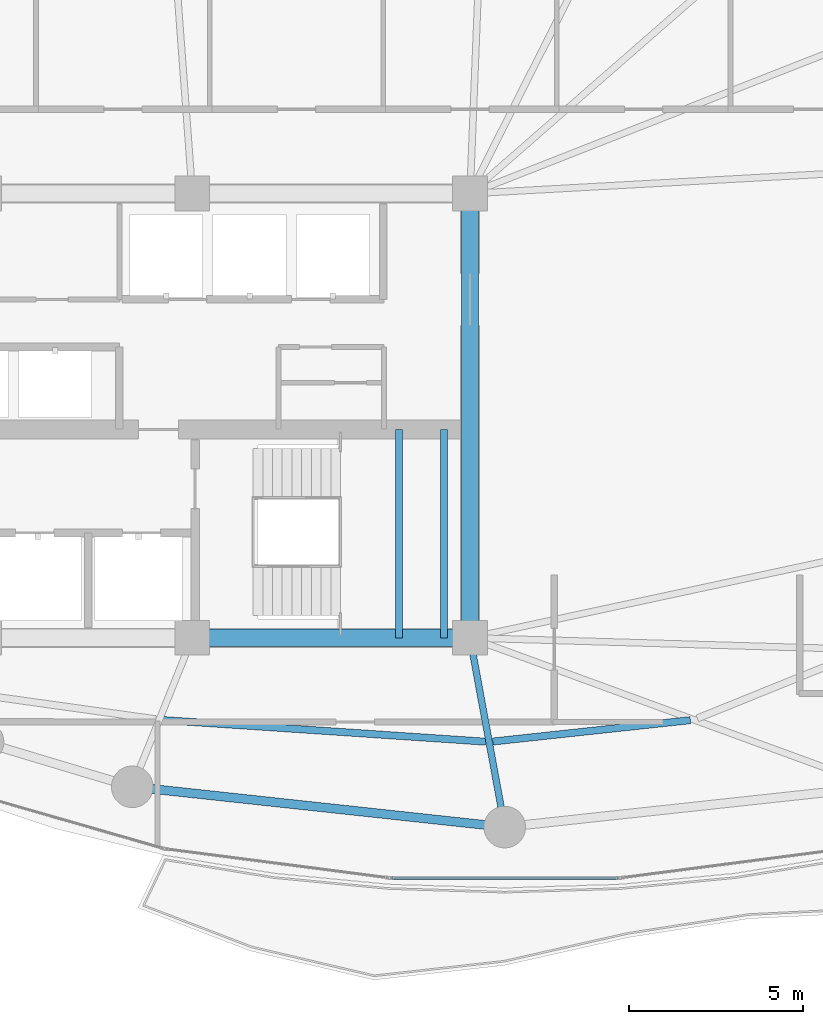
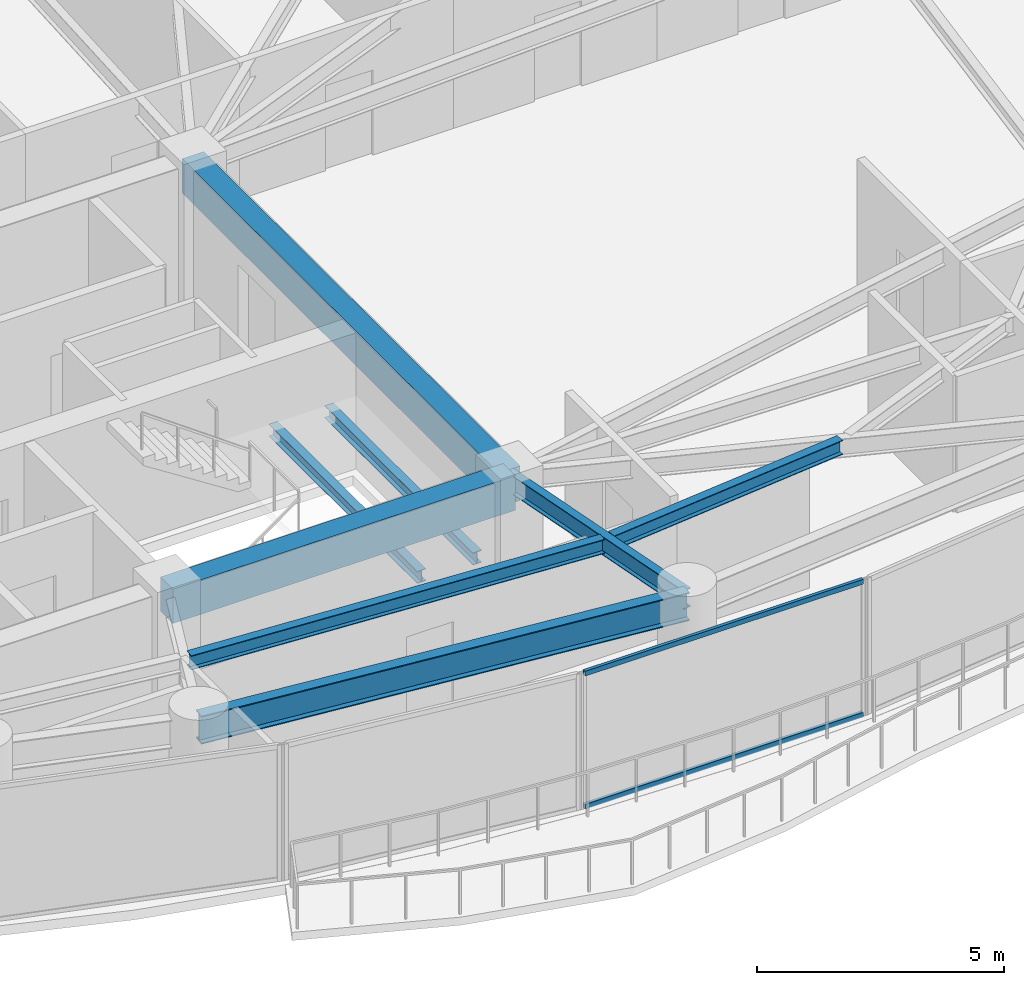
# One storey, part 6 of 28: 8 beams, 2 members, 1 element without a shape of its own.
"""IFC4 building model written with IfcOpenShell, lengths in metres."""

from ifc_helpers import new_model, si_unit, direction, frame, origin, origin_2d, place, context, subcontext, project, spatial, rectangle, hollow_rectangle, i_section, extrude, material, layer, layer_set, material_profile, profile_set, type_object, element, aggregate, save


model = new_model("IFC4")

# Units and contexts
model_context = context("Model", 3, precision=1e-05, world=origin(), true_north=direction((0.0, 1.0)))
body_context = subcontext(model_context, "Body", "Model", "MODEL_VIEW")
ifc_project = project(units=[si_unit("LENGTHUNIT", "METRE"), si_unit("AREAUNIT", "SQUARE_METRE"), si_unit("VOLUMEUNIT", "CUBIC_METRE"), si_unit("PLANEANGLEUNIT", "RADIAN"), si_unit("MASSUNIT", "GRAM", prefix="KILO")], contexts=[model_context])

# Site, building, storey
site_placement = place(None, origin())
site = spatial("IfcSite", under=ifc_project, at=site_placement, CompositionType="ELEMENT")
building_placement = place(site_placement, origin())
building = spatial("IfcBuilding", under=site, at=building_placement, Name="Kazevale Care Tower and Concert Hall", CompositionType="ELEMENT")
storey_placement = place(building_placement, frame((0.0, 0.0, 135.0)))
storey = spatial("IfcBuildingStorey", under=building, at=storey_placement, Name="L35", CompositionType="ELEMENT", Elevation=135.0)

# Curtain wall, members
ifc_material_1 = material(Name="Aluminium 6063-T6 and Low-E Glass", Category="aluminium")
ifc_layer = layer(ifc_material_1, 0.179931640625)
ifc_layer_set = layer_set([ifc_layer], Name="Aluminium 6063-T6 and Low-E Glass")
curtain_wall_type = type_object("IfcCurtainWallType", Name="Sheltered Concave Balcony Curtain Wall CW-5", PredefinedType="NOTDEFINED", material=ifc_layer_set)
curtain_wall_placement = place(storey_placement, origin())
curtain_wall = element("IfcCurtainWall", 1, at=curtain_wall_placement, inside=storey, type_object=curtain_wall_type, Name="cw:L35:f06", PredefinedType="NOTDEFINED")
ifc_material_2 = material(Name="Aluminium 6063-T6", Category="aluminium")
ifc_material_profile_1 = material_profile(ifc_material_2, hollow_rectangle(XDim=0.074951171875, YDim=0.1201171875, WallThickness=0.00390625, at=origin_2d()), Name="ALU75x120x4")
ifc_profile_set_1 = profile_set([ifc_material_profile_1], Name="Aluminium 6063-T6")
member_type = type_object("IfcMemberType", Name="CW-5 Transom ALU75x120x4", PredefinedType="USERDEFINED", material=ifc_profile_set_1)
member_1_placement = place(storey_placement, frame((48.25, 16.68408203125, 0.03759765625), z_axis=(-1.0, 0.0, 0.0), x_axis=(0.0, -1.0, 0.0)))
member_1 = element("IfcMember", 2, at=member_1_placement, type_object=member_type, Name="CW-5 transom 1.1", ObjectType="TRANSOM", PredefinedType="USERDEFINED", context=body_context, shape_type="SweptSolid", body=[
    extrude(hollow_rectangle(XDim=0.074951171875, YDim=0.1201171875, WallThickness=0.00390625, at=origin_2d()), origin(), (0.0, 0.0, 1.0), 6.5),
])
member_2_placement = place(storey_placement, frame((48.25, 16.68408203125, 3.322509765625), z_axis=(-1.0, 0.0, 0.0), x_axis=(0.0, -1.0, 0.0)))
member_2 = element("IfcMember", 3, at=member_2_placement, type_object=member_type, Name="CW-5 transom 1.2", ObjectType="TRANSOM", PredefinedType="USERDEFINED", context=body_context, shape_type="SweptSolid", body=[
    extrude(hollow_rectangle(XDim=0.074951171875, YDim=0.1201171875, WallThickness=0.00390625, at=origin_2d()), origin(), (0.0, 0.0, 1.0), 6.5),
])
aggregate(curtain_wall, [member_1, member_2])

# Beams
ifc_material_3 = material(Name="Concrete C60", Category="concrete")
ifc_material_profile_2 = material_profile(ifc_material_3, rectangle(XDim=0.5, YDim=0.85009765625, at=origin_2d()), Name="RC-B500x850")
ifc_profile_set_2 = profile_set([ifc_material_profile_2], Name="Concrete C60")
beam_type_1 = type_object("IfcBeamType", Name="Core Coupling Beam RC500x850", PredefinedType="LINTEL", material=ifc_profile_set_2)
beam_1_placement = place(storey_placement, frame((36.0, 23.60009765625, 2.93505859375), z_axis=(1.0, 0.0, 0.0), x_axis=(0.0, 1.0, 0.0)))
element("IfcBeam", 4, at=beam_1_placement, inside=storey, type_object=beam_type_1, Name="beam:L35:coretie:3", PredefinedType="LINTEL", context=body_context, shape_type="SweptSolid", body=[
    extrude(rectangle(XDim=0.5, YDim=0.85009765625, at=origin_2d()), origin(), (0.0, 0.0, 1.0), 8.0),
])
beam_2_placement = place(storey_placement, frame((44.0, 23.60009765625, 2.93505859375), z_axis=(0.0, 1.0, 0.0), x_axis=(-1.0, 0.0, 0.0)))
element("IfcBeam", 5, at=beam_2_placement, inside=storey, type_object=beam_type_1, Name="beam:L35:coretie:4", PredefinedType="LINTEL", context=body_context, shape_type="SweptSolid", body=[
    extrude(rectangle(XDim=0.5, YDim=0.85009765625, at=origin_2d()), origin(), (0.0, 0.0, 1.0), 12.7998046875),
])
ifc_material_4 = material(Name="Steel ASTM A572 Gr 50", Category="steel")
ifc_material_profile_3 = material_profile(ifc_material_4, i_section(OverallWidth=0.19091796875, OverallDepth=0.4599609375, WebThickness=0.010009765625, FlangeThickness=0.01611328125, at=origin_2d()), Name="W460x82")
ifc_profile_set_3 = profile_set([ifc_material_profile_3], Name="Steel ASTM A572 Gr 50")
beam_type_2 = type_object("IfcBeamType", Name="Radial Floor Beam W460x82", PredefinedType="BEAM", material=ifc_profile_set_3)
beam_3_placement = place(storey_placement, frame((44.0, 23.60009765625, 3.1298828125), z_axis=(0.180467114023, -0.983581018908, 0.0), x_axis=(0.983581018908, 0.180467114023, 0.0)))
element("IfcBeam", 6, at=beam_3_placement, inside=storey, type_object=beam_type_2, Name="beam:L35:rad:13", PredefinedType="BEAM", context=body_context, shape_type="SweptSolid", body=[
    extrude(i_section(OverallWidth=0.19091796875, OverallDepth=0.4599609375, WebThickness=0.010009765625, FlangeThickness=0.01611328125, at=origin_2d()), origin(), (0.0, 0.0, 1.0), 5.541259765625),
])
ifc_material_profile_4 = material_profile(ifc_material_4, i_section(OverallWidth=0.205078125, OverallDepth=0.35400390625, WebThickness=0.009521484375, FlangeThickness=0.016845703125, at=origin_2d()), Name="W360x79")
ifc_profile_set_4 = profile_set([ifc_material_profile_4], Name="Steel ASTM A572 Gr 50")
beam_type_3 = type_object("IfcBeamType", Name="Secondary Floor Joist W360x79", PredefinedType="JOIST", material=ifc_profile_set_4)
beam_4_placement = place(storey_placement, frame((35.153076171875, 21.23291015625, 3.18310546875), z_axis=(0.997761314569, -0.06687569925, 0.0), x_axis=(0.06687569925, 0.997761314569, 0.0)))
element("IfcBeam", 7, at=beam_4_placement, inside=storey, type_object=beam_type_3, Name="beam:L35:joist:12", PredefinedType="JOIST", context=body_context, shape_type="SweptSolid", body=[
    extrude(i_section(OverallWidth=0.205078125, OverallDepth=0.35400390625, WebThickness=0.009521484375, FlangeThickness=0.016845703125, at=origin_2d()), origin(), (0.0, 0.0, 1.0), 9.312744140625),
])
beam_5_placement = place(storey_placement, frame((44.654052734375, 20.614013671875, 3.18310546875), z_axis=(0.994215541126, 0.107403248482, 0.0), x_axis=(-0.107403248482, 0.994215541126, 0.0)))
element("IfcBeam", 8, at=beam_5_placement, inside=storey, type_object=beam_type_3, Name="beam:L35:joist:13", PredefinedType="JOIST", context=body_context, shape_type="SweptSolid", body=[
    extrude(i_section(OverallWidth=0.205078125, OverallDepth=0.35400390625, WebThickness=0.009521484375, FlangeThickness=0.016845703125, at=origin_2d()), origin(), (0.0, 0.0, 1.0), 5.72607421875),
])
ifc_material_profile_5 = material_profile(ifc_material_4, i_section(OverallWidth=0.202880859375, OverallDepth=0.302978515625, WebThickness=0.007568359375, FlangeThickness=0.01318359375, at=origin_2d()), Name="W310x60")
ifc_profile_set_5 = profile_set([ifc_material_profile_5], Name="Steel ASTM A572 Gr 50")
beam_type_4 = type_object("IfcBeamType", Name="Stair & Balcony Trimmer W310x60", PredefinedType="BEAM", material=ifc_profile_set_5)
for number, where, z_axis, x_axis, name in (
    (9, (41.949951171875, 23.60009765625, 1.448486328125), (0.0, 1.0, 0.0), (-1.0, 0.0, 0.0), "beam:L35:sttrim:ST2"),
    (10, (43.25, 23.60009765625, 1.448486328125), (0.0, 1.0, 0.0), (-1.0, 0.0, 0.0), "beam:L35:sttrim:ST2b"),
):
    element("IfcBeam", number, at=place(storey_placement, frame(where, z_axis=z_axis, x_axis=x_axis)), inside=storey, type_object=beam_type_4, Name=name, PredefinedType="BEAM", context=body_context, shape_type="SweptSolid", body=[
        extrude(i_section(OverallWidth=0.202880859375, OverallDepth=0.302978515625, WebThickness=0.007568359375, FlangeThickness=0.01318359375, at=origin_2d()), origin(), (0.0, 0.0, 1.0), 6.0),
    ])
ifc_material_profile_6 = material_profile(ifc_material_4, i_section(OverallWidth=0.256103515625, OverallDepth=0.693115234375, WebThickness=0.014404296875, FlangeThickness=0.023681640625, at=origin_2d()), Name="W690x170")
ifc_profile_set_6 = profile_set([ifc_material_profile_6], Name="Steel ASTM A572 Gr 50")
beam_type_5 = type_object("IfcBeamType", Name="Waist Ring Beam W690x170", PredefinedType="BEAM", material=ifc_profile_set_6)
beam_6_placement = place(storey_placement, frame((34.27001953125, 19.31005859375, 3.013427734375), z_axis=(0.994205479487, -0.107496346724, 0.0), x_axis=(0.107496346724, 0.994205479487, 0.0)))
element("IfcBeam", 11, at=beam_6_placement, inside=storey, type_object=beam_type_5, Name="beam:L35:ring:12", PredefinedType="BEAM", context=body_context, shape_type="SweptSolid", body=[
    extrude(i_section(OverallWidth=0.256103515625, OverallDepth=0.693115234375, WebThickness=0.014404296875, FlangeThickness=0.023681640625, at=origin_2d()), origin(), (0.0, 0.0, 1.0), 10.79248046875),
])

save(model, "model.ifc")
